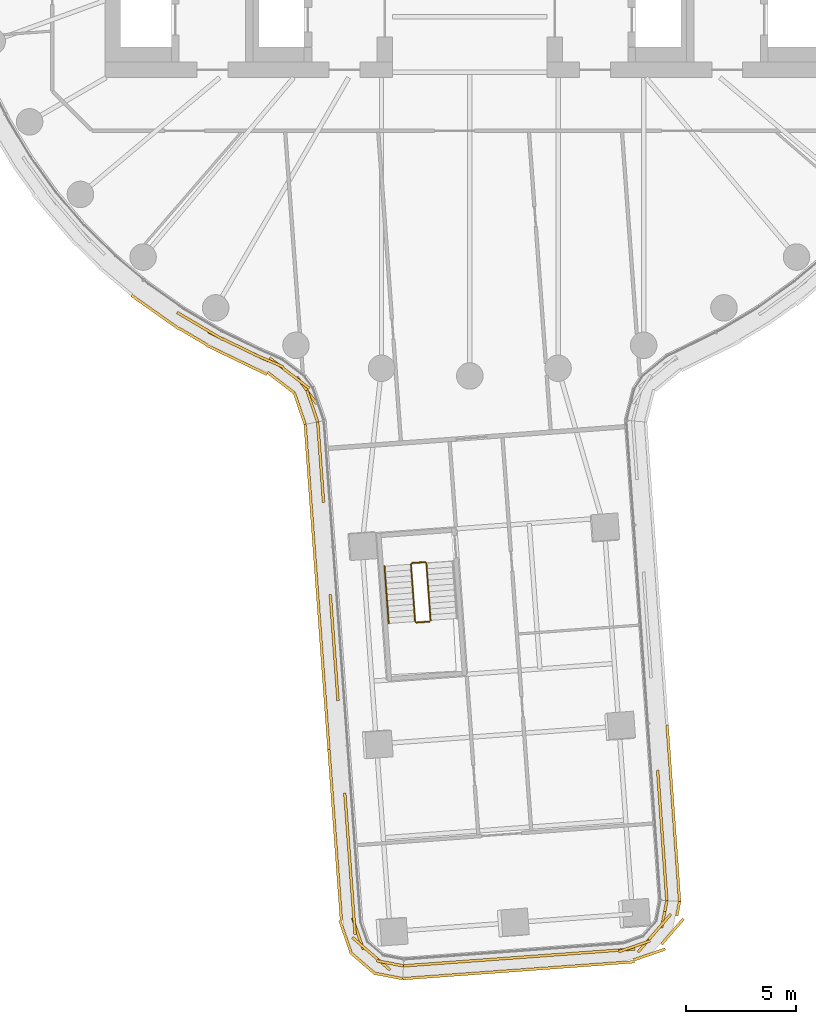
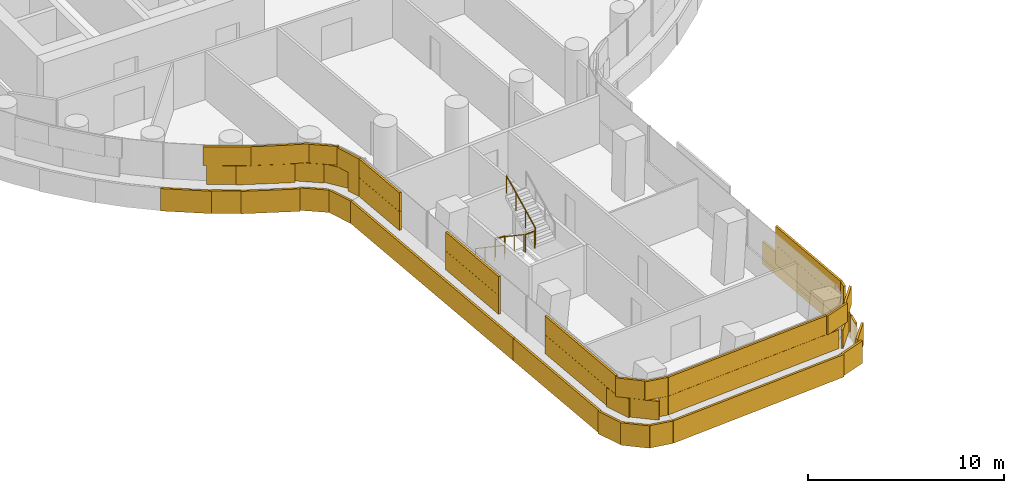
# One storey, part 25 of 31: 5 coverings, 5 railings.
"""IFC4 building model written with IfcOpenShell, lengths in metres."""

from ifc_helpers import new_model, si_unit, direction, frame, origin, origin_2d, place, context, subcontext, project, spatial, rectangle, circle, extrude, material, layer, layer_set, type_object, element, save


model = new_model("IFC4")

# Units and contexts
model_context = context("Model", 3, precision=1e-05, world=origin(), true_north=direction((0.0, 1.0)))
body_context = subcontext(model_context, "Body", "Model", "MODEL_VIEW")
ifc_project = project(units=[si_unit("LENGTHUNIT", "METRE"), si_unit("AREAUNIT", "SQUARE_METRE"), si_unit("VOLUMEUNIT", "CUBIC_METRE"), si_unit("PLANEANGLEUNIT", "RADIAN"), si_unit("MASSUNIT", "GRAM", prefix="KILO")], contexts=[model_context])

# Site, building, storey
site_placement = place(None, origin())
site = spatial("IfcSite", under=ifc_project, at=site_placement, CompositionType="ELEMENT")
building_placement = place(site_placement, origin())
building = spatial("IfcBuilding", under=site, at=building_placement, Name="Tamarind Cross Interchange Tower", CompositionType="ELEMENT")
storey_placement = place(building_placement, frame((0.0, 0.0, 49.0)))
storey = spatial("IfcBuildingStorey", under=building, at=storey_placement, Name="L10", CompositionType="ELEMENT", Elevation=49.0)

# Railings
ifc_material_1 = material(Name="Stair guard")
railing_type_1 = type_object("IfcRailingType", Name="Stair guard", PredefinedType="GUARDRAIL", material=ifc_material_1)
railing_1_placement = place(storey_placement, frame((-2.663330078125, -31.519287109375, 0.17041015625)))
element("IfcRailing", 1, at=railing_1_placement, inside=storey, type_object=railing_type_1, Name="L10 ST6 stair guard 1", PredefinedType="GUARDRAIL", context=body_context, shape_type="SweptSolid", body=[
    extrude(circle(Radius=0.02392578125, at=origin_2d()), frame((0.0, 0.0, 1.076171875), z_axis=(0.060934966384, -0.834086614599, 0.548257648572), x_axis=(0.997342050875, 0.072861742749, 0.0)), (0.0, 0.0, 1.0), 3.109130859375),
    extrude(circle(Radius=0.02099609375, at=origin_2d()), origin(), (0.0, 0.0, 1.0), 1.052001953125),
    extrude(circle(Radius=0.02099609375, at=origin_2d()), frame((0.063232421875, -0.864501953125, 0.568115234375)), (0.0, 0.0, 1.0), 1.052001953125),
    extrude(circle(Radius=0.02099609375, at=origin_2d()), frame((0.126220703125, -1.728759765625, 1.136474609375)), (0.0, 0.0, 1.0), 1.052001953125),
    extrude(circle(Radius=0.02099609375, at=origin_2d()), frame((0.189453125, -2.59326171875, 1.70458984375)), (0.0, 0.0, 1.0), 1.052001953125),
])
railing_2_placement = place(storey_placement, frame((-2.42041015625, -34.15869140625, 1.875)))
element("IfcRailing", 2, at=railing_2_placement, inside=storey, type_object=railing_type_1, Name="L10 ST6 stair guard 2", PredefinedType="GUARDRAIL", context=body_context, shape_type="SweptSolid", body=[
    extrude(circle(Radius=0.02392578125, at=origin_2d()), frame((0.0, 0.0, 1.076171875), z_axis=(0.997343826647, 0.072837431648, 0.0), x_axis=(-0.072837431648, 0.997343826647, 0.0)), (0.0, 0.0, 1.0), 0.60009765625),
    extrude(circle(Radius=0.02099609375, at=origin_2d()), origin(), (0.0, 0.0, 1.0), 1.052001953125),
    extrude(circle(Radius=0.02099609375, at=origin_2d()), frame((0.598388671875, 0.043701171875, 0.0)), (0.0, 0.0, 1.0), 1.052001953125),
])
railing_3_placement = place(storey_placement, frame((-1.775634765625, -34.0615234375, 2.04541015625)))
element("IfcRailing", 3, at=railing_3_placement, inside=storey, type_object=railing_type_1, Name="L10 ST6 stair guard 3", PredefinedType="GUARDRAIL", context=body_context, shape_type="SweptSolid", body=[
    extrude(circle(Radius=0.02392578125, at=origin_2d()), frame((0.0, 0.0, 1.076171875), z_axis=(-0.060938957596, 0.834062717302, 0.548293559194), x_axis=(-0.997341552337, -0.072868566483, 0.0)), (0.0, 0.0, 1.0), 3.10888671875),
    extrude(circle(Radius=0.02099609375, at=origin_2d()), origin(), (0.0, 0.0, 1.0), 1.052001953125),
    extrude(circle(Radius=0.02099609375, at=origin_2d()), frame((-0.063232421875, 0.8642578125, 0.568115234375)), (0.0, 0.0, 1.0), 1.052001953125),
    extrude(circle(Radius=0.02099609375, at=origin_2d()), frame((-0.126220703125, 1.728759765625, 1.136474609375)), (0.0, 0.0, 1.0), 1.052001953125),
    extrude(circle(Radius=0.02099609375, at=origin_2d()), frame((-0.189453125, 2.593017578125, 1.70458984375)), (0.0, 0.0, 1.0), 1.052001953125),
])
railing_4_placement = place(storey_placement, frame((-2.6171875, -31.4658203125, 0.0)))
element("IfcRailing", 4, at=railing_4_placement, inside=storey, type_object=railing_type_1, Name="L10 ST6 stair guard 4", PredefinedType="GUARDRAIL", context=body_context, shape_type="SweptSolid", body=[
    extrude(circle(Radius=0.02392578125, at=origin_2d()), frame((0.0, 0.0, 1.076171875), z_axis=(0.997343826647, 0.072837431648, 0.0), x_axis=(-0.072837431648, 0.997343826647, 0.0)), (0.0, 0.0, 1.0), 0.60009765625),
    extrude(circle(Radius=0.02099609375, at=origin_2d()), origin(), (0.0, 0.0, 1.0), 1.052001953125),
    extrude(circle(Radius=0.02099609375, at=origin_2d()), frame((0.598388671875, 0.043701171875, 0.0)), (0.0, 0.0, 1.0), 1.052001953125),
])
ifc_material_2 = material(Name="Stair handrail")
railing_type_2 = type_object("IfcRailingType", Name="Stair handrail", PredefinedType="HANDRAIL", material=ifc_material_2)
railing_5_placement = place(storey_placement, frame((-3.860107421875, -31.60693359375, 0.17041015625)))
element("IfcRailing", 5, at=railing_5_placement, inside=storey, type_object=railing_type_2, Name="L10 ST6 stair handrail 1", PredefinedType="HANDRAIL", context=body_context, shape_type="SweptSolid", body=[
    extrude(circle(Radius=0.02392578125, at=origin_2d()), frame((0.0, 0.0, 0.8759765625), z_axis=(0.060938957596, -0.834062717302, 0.548293559194), x_axis=(0.997341552337, 0.072868566483, 0.0)), (0.0, 0.0, 1.0), 3.10888671875),
    extrude(circle(Radius=0.02099609375, at=origin_2d()), origin(), (0.0, 0.0, 1.0), 0.851806640625),
    extrude(circle(Radius=0.02099609375, at=origin_2d()), frame((0.063232421875, -0.8642578125, 0.568115234375)), (0.0, 0.0, 1.0), 0.851806640625),
    extrude(circle(Radius=0.02099609375, at=origin_2d()), frame((0.126220703125, -1.728759765625, 1.136474609375)), (0.0, 0.0, 1.0), 0.851806640625),
    extrude(circle(Radius=0.02099609375, at=origin_2d()), frame((0.189453125, -2.593017578125, 1.70458984375)), (0.0, 0.0, 1.0), 0.851806640625),
])

# Coverings
ifc_material_3 = material(Name="Terracotta", Category="masonry")
ifc_layer = layer(ifc_material_3, 0.1201171875)
ifc_layer_set = layer_set([ifc_layer], Name="Terracotta")
covering_type = type_object("IfcCoveringType", Name="Terracotta baguette screen unit", PredefinedType="MOLDING", material=ifc_layer_set)
covering_1_placement = place(storey_placement, origin())
element("IfcCovering", 6, at=covering_1_placement, inside=storey, type_object=covering_type, Name="SCR-L10-06-01", PredefinedType="MOLDING", context=body_context, shape_type="SweptSolid", body=[
    extrude(rectangle(XDim=1.52001953125, YDim=0.1201171875, at=origin_2d()), frame((-12.45751953125, -20.592041015625, 1.404052734375), z_axis=(0.0, 0.0, 1.0), x_axis=(0.861248933065, -0.508183308752, 0.0)), (0.0, 0.0, 1.0), 1.1669921875),
    extrude(rectangle(XDim=1.52001953125, YDim=0.1201171875, at=origin_2d()), frame((-11.15625, -21.336669921875, 1.404052734375), z_axis=(0.0, 0.0, 1.0), x_axis=(0.900272776334, -0.435326231914, 0.0)), (0.0, 0.0, 1.0), 1.1669921875),
    extrude(rectangle(XDim=1.52001953125, YDim=0.1201171875, at=origin_2d()), frame((-9.8056640625, -21.98974609375, 1.404052734375), z_axis=(0.0, 0.0, 1.0), x_axis=(0.900272776334, -0.435326231914, 0.0)), (0.0, 0.0, 1.0), 1.1669921875),
    extrude(rectangle(XDim=1.52001953125, YDim=0.1201171875, at=origin_2d()), frame((-8.4619140625, -22.643798828125, 1.404052734375), z_axis=(0.0, 0.0, 1.0), x_axis=(0.793968730623, -0.607958596282, 0.0)), (0.0, 0.0, 1.0), 1.1669921875),
    extrude(rectangle(XDim=1.52001953125, YDim=0.1201171875, at=origin_2d()), frame((-7.37255859375, -23.655517578125, 1.404052734375), z_axis=(0.0, 0.0, 1.0), x_axis=(0.593864192747, -0.804565299135, 0.0)), (0.0, 0.0, 1.0), 1.1669921875),
    extrude(rectangle(XDim=0.764404296875, YDim=0.1201171875, at=origin_2d()), frame((-7.005859375, -24.720703125, 1.404052734375), z_axis=(0.0, 0.0, 1.0), x_axis=(0.322738085139, -0.946488313927, 0.0)), (0.0, 0.0, 1.0), 1.1669921875),
    extrude(rectangle(XDim=0.924072265625, YDim=0.1201171875, at=origin_2d()), frame((-12.85107421875, -20.359619140625, 2.5791015625), z_axis=(0.0, 0.0, 1.0), x_axis=(0.861248933065, -0.508183308752, 0.0)), (0.0, 0.0, 1.0), 1.1669921875),
    extrude(rectangle(XDim=1.52001953125, YDim=0.1201171875, at=origin_2d()), frame((-11.8115234375, -20.97314453125, 2.5791015625), z_axis=(0.0, 0.0, 1.0), x_axis=(0.861248933065, -0.508183308752, 0.0)), (0.0, 0.0, 1.0), 1.1669921875),
    extrude(rectangle(XDim=1.52001953125, YDim=0.1201171875, at=origin_2d()), frame((-10.48095703125, -21.663330078125, 2.5791015625), z_axis=(0.0, 0.0, 1.0), x_axis=(0.900272776334, -0.435326231914, 0.0)), (0.0, 0.0, 1.0), 1.1669921875),
    extrude(rectangle(XDim=1.52001953125, YDim=0.1201171875, at=origin_2d()), frame((-9.1220703125, -22.2978515625, 2.5791015625), z_axis=(0.0, 0.0, 1.0), x_axis=(0.917176213406, -0.39848186102, 0.0)), (0.0, 0.0, 1.0), 1.1669921875),
    extrude(rectangle(XDim=1.52001953125, YDim=0.1201171875, at=origin_2d()), frame((-7.866455078125, -23.099853515625, 2.5791015625), z_axis=(0.0, 0.0, 1.0), x_axis=(0.793968730623, -0.607958596282, 0.0)), (0.0, 0.0, 1.0), 1.1669921875),
    extrude(rectangle(XDim=1.52001953125, YDim=0.1201171875, at=origin_2d()), frame((-7.12744140625, -24.36376953125, 2.5791015625), z_axis=(0.0, 0.0, 1.0), x_axis=(0.322738085139, -0.946488313927, 0.0)), (0.0, 0.0, 1.0), 1.1669921875),
    extrude(rectangle(XDim=1.11279296875, YDim=0.1201171875, at=origin_2d()), frame((-14.853271484375, -19.674072265625, 0.00390625), z_axis=(0.0, 0.0, 1.0), x_axis=(0.816341886298, -0.577568978284, 0.0)), (0.0, 0.0, 1.0), 1.39208984375),
    extrude(rectangle(XDim=1.52001953125, YDim=0.1201171875, at=origin_2d()), frame((-13.794921875, -20.422607421875, 0.00390625), z_axis=(0.0, 0.0, 1.0), x_axis=(0.816341886298, -0.577568978284, 0.0)), (0.0, 0.0, 1.0), 1.39208984375),
    extrude(rectangle(XDim=1.52001953125, YDim=0.1201171875, at=origin_2d()), frame((-12.52490234375, -21.218505859375, 0.00390625), z_axis=(0.0, 0.0, 1.0), x_axis=(0.861248933065, -0.508183308752, 0.0)), (0.0, 0.0, 1.0), 1.39208984375),
    extrude(rectangle(XDim=1.52001953125, YDim=0.1201171875, at=origin_2d()), frame((-11.21435546875, -21.946044921875, 0.00390625), z_axis=(0.0, 0.0, 1.0), x_axis=(0.900272776334, -0.435326231914, 0.0)), (0.0, 0.0, 1.0), 1.39208984375),
    extrude(rectangle(XDim=1.52001953125, YDim=0.1201171875, at=origin_2d()), frame((-9.864013671875, -22.59912109375, 0.00390625), z_axis=(0.0, 0.0, 1.0), x_axis=(0.900272776334, -0.435326231914, 0.0)), (0.0, 0.0, 1.0), 1.39208984375),
    extrude(rectangle(XDim=1.52001953125, YDim=0.1201171875, at=origin_2d()), frame((-8.548828125, -23.30029296875, 0.00390625), z_axis=(0.0, 0.0, 1.0), x_axis=(0.793968730623, -0.607958596282, 0.0)), (0.0, 0.0, 1.0), 1.39208984375),
    extrude(rectangle(XDim=1.52001953125, YDim=0.1201171875, at=origin_2d()), frame((-7.696533203125, -24.473876953125, 0.00390625), z_axis=(0.0, 0.0, 1.0), x_axis=(0.322738085139, -0.946488313927, 0.0)), (0.0, 0.0, 1.0), 1.39208984375),
])
covering_2_placement = place(storey_placement, origin())
element("IfcCovering", 7, at=covering_2_placement, inside=storey, type_object=covering_type, Name="SCR-L10-07-00", PredefinedType="MOLDING", context=body_context, shape_type="SweptSolid", body=[
    extrude(rectangle(XDim=1.510009765625, YDim=0.1201171875, at=origin_2d()), frame((-6.829345703125, -25.82568359375, 1.404052734375), z_axis=(0.0, 0.0, 1.0), x_axis=(0.072876138746, -0.997340999058, 0.0)), (0.0, 0.0, 1.0), 1.1669921875),
    extrude(rectangle(XDim=1.52001953125, YDim=0.1201171875, at=origin_2d()), frame((-6.719970703125, -27.32177734375, 1.404052734375), z_axis=(0.0, 0.0, 1.0), x_axis=(0.072876138746, -0.997340999058, 0.0)), (0.0, 0.0, 1.0), 1.1669921875),
    extrude(rectangle(XDim=0.65380859375, YDim=0.1201171875, at=origin_2d()), frame((-6.641845703125, -28.390869140625, 1.404052734375), z_axis=(0.0, 0.0, 1.0), x_axis=(0.072876138746, -0.997340999058, 0.0)), (0.0, 0.0, 1.0), 1.1669921875),
    extrude(rectangle(XDim=1.166259765625, YDim=0.1201171875, at=origin_2d()), frame((-6.270263671875, -33.477294921875, 1.404052734375), z_axis=(0.0, 0.0, 1.0), x_axis=(0.072876138746, -0.997340999058, 0.0)), (0.0, 0.0, 1.0), 1.1669921875),
    extrude(rectangle(XDim=1.52001953125, YDim=0.1201171875, at=origin_2d()), frame((-6.173583984375, -34.8017578125, 1.404052734375), z_axis=(0.0, 0.0, 1.0), x_axis=(0.072876138746, -0.997340999058, 0.0)), (0.0, 0.0, 1.0), 1.1669921875),
    extrude(rectangle(XDim=1.52001953125, YDim=0.1201171875, at=origin_2d()), frame((-6.064208984375, -36.2978515625, 1.404052734375), z_axis=(0.0, 0.0, 1.0), x_axis=(0.072876138746, -0.997340999058, 0.0)), (0.0, 0.0, 1.0), 1.1669921875),
    extrude(rectangle(XDim=0.65380859375, YDim=0.1201171875, at=origin_2d()), frame((-5.986083984375, -37.366943359375, 1.404052734375), z_axis=(0.0, 0.0, 1.0), x_axis=(0.072876138746, -0.997340999058, 0.0)), (0.0, 0.0, 1.0), 1.1669921875),
    extrude(rectangle(XDim=0.760009765625, YDim=0.1201171875, at=origin_2d()), frame((-6.856689453125, -25.45166015625, 2.5791015625), z_axis=(0.0, 0.0, 1.0), x_axis=(0.072876138746, -0.997340999058, 0.0)), (0.0, 0.0, 1.0), 1.1669921875),
    extrude(rectangle(XDim=1.52001953125, YDim=0.1201171875, at=origin_2d()), frame((-6.774658203125, -26.57373046875, 2.5791015625), z_axis=(0.0, 0.0, 1.0), x_axis=(0.072876138746, -0.997340999058, 0.0)), (0.0, 0.0, 1.0), 1.1669921875),
    extrude(rectangle(XDim=1.40380859375, YDim=0.1201171875, at=origin_2d()), frame((-6.669189453125, -28.016845703125, 2.5791015625), z_axis=(0.0, 0.0, 1.0), x_axis=(0.072876138746, -0.997340999058, 0.0)), (0.0, 0.0, 1.0), 1.1669921875),
    extrude(rectangle(XDim=0.416259765625, YDim=0.1201171875, at=origin_2d()), frame((-6.297607421875, -33.103271484375, 2.5791015625), z_axis=(0.0, 0.0, 1.0), x_axis=(0.072876138746, -0.997340999058, 0.0)), (0.0, 0.0, 1.0), 1.1669921875),
    extrude(rectangle(XDim=1.52001953125, YDim=0.1201171875, at=origin_2d()), frame((-6.22802734375, -34.053955078125, 2.5791015625), z_axis=(0.0, 0.0, 1.0), x_axis=(0.072876138746, -0.997340999058, 0.0)), (0.0, 0.0, 1.0), 1.1669921875),
    extrude(rectangle(XDim=1.52001953125, YDim=0.1201171875, at=origin_2d()), frame((-6.118896484375, -35.5498046875, 2.5791015625), z_axis=(0.0, 0.0, 1.0), x_axis=(0.072876138746, -0.997340999058, 0.0)), (0.0, 0.0, 1.0), 1.1669921875),
    extrude(rectangle(XDim=1.40380859375, YDim=0.1201171875, at=origin_2d()), frame((-6.013427734375, -36.992919921875, 2.5791015625), z_axis=(0.0, 0.0, 1.0), x_axis=(0.072876138746, -0.997340999058, 0.0)), (0.0, 0.0, 1.0), 1.1669921875),
    extrude(rectangle(XDim=1.510009765625, YDim=0.1201171875, at=origin_2d()), frame((-7.39599609375, -25.9462890625, 0.00390625), z_axis=(0.0, 0.0, 1.0), x_axis=(0.072876138746, -0.997340999058, 0.0)), (0.0, 0.0, 1.0), 1.39208984375),
    extrude(rectangle(XDim=1.52001953125, YDim=0.1201171875, at=origin_2d()), frame((-7.287109375, -27.437255859375, 0.00390625), z_axis=(0.0, 0.0, 1.0), x_axis=(0.072876138746, -0.997340999058, 0.0)), (0.0, 0.0, 1.0), 1.39208984375),
    extrude(rectangle(XDim=1.52001953125, YDim=0.1201171875, at=origin_2d()), frame((-7.177734375, -28.93310546875, 0.00390625), z_axis=(0.0, 0.0, 1.0), x_axis=(0.072876138746, -0.997340999058, 0.0)), (0.0, 0.0, 1.0), 1.39208984375),
    extrude(rectangle(XDim=1.52001953125, YDim=0.1201171875, at=origin_2d()), frame((-7.068603515625, -30.42919921875, 0.00390625), z_axis=(0.0, 0.0, 1.0), x_axis=(0.072876138746, -0.997340999058, 0.0)), (0.0, 0.0, 1.0), 1.39208984375),
    extrude(rectangle(XDim=1.52001953125, YDim=0.1201171875, at=origin_2d()), frame((-6.959228515625, -31.92529296875, 0.00390625), z_axis=(0.0, 0.0, 1.0), x_axis=(0.072876138746, -0.997340999058, 0.0)), (0.0, 0.0, 1.0), 1.39208984375),
    extrude(rectangle(XDim=1.52001953125, YDim=0.1201171875, at=origin_2d()), frame((-6.849853515625, -33.421142578125, 0.00390625), z_axis=(0.0, 0.0, 1.0), x_axis=(0.072876138746, -0.997340999058, 0.0)), (0.0, 0.0, 1.0), 1.39208984375),
    extrude(rectangle(XDim=1.52001953125, YDim=0.1201171875, at=origin_2d()), frame((-6.740478515625, -34.917236328125, 0.00390625), z_axis=(0.0, 0.0, 1.0), x_axis=(0.072876138746, -0.997340999058, 0.0)), (0.0, 0.0, 1.0), 1.39208984375),
    extrude(rectangle(XDim=1.52001953125, YDim=0.1201171875, at=origin_2d()), frame((-6.63134765625, -36.413330078125, 0.00390625), z_axis=(0.0, 0.0, 1.0), x_axis=(0.072876138746, -0.997340999058, 0.0)), (0.0, 0.0, 1.0), 1.39208984375),
    extrude(rectangle(XDim=1.52001953125, YDim=0.1201171875, at=origin_2d()), frame((-6.52197265625, -37.9091796875, 0.00390625), z_axis=(0.0, 0.0, 1.0), x_axis=(0.072876138746, -0.997340999058, 0.0)), (0.0, 0.0, 1.0), 1.39208984375),
    extrude(rectangle(XDim=1.2548828125, YDim=0.1201171875, at=origin_2d()), frame((-6.42236328125, -39.273193359375, 0.00390625), z_axis=(0.0, 0.0, 1.0), x_axis=(0.072876138746, -0.997340999058, 0.0)), (0.0, 0.0, 1.0), 1.39208984375),
])
covering_3_placement = place(storey_placement, origin())
element("IfcCovering", 8, at=covering_3_placement, inside=storey, type_object=covering_type, Name="SCR-L10-07-01", PredefinedType="MOLDING", context=body_context, shape_type="SweptSolid", body=[
    extrude(rectangle(XDim=1.166259765625, YDim=0.1201171875, at=origin_2d()), frame((-5.6142578125, -42.453369140625, 1.404052734375), z_axis=(0.0, 0.0, 1.0), x_axis=(0.072876138746, -0.997340999058, 0.0)), (0.0, 0.0, 1.0), 1.1669921875),
    extrude(rectangle(XDim=1.52001953125, YDim=0.1201171875, at=origin_2d()), frame((-5.517578125, -43.77783203125, 1.404052734375), z_axis=(0.0, 0.0, 1.0), x_axis=(0.072876138746, -0.997340999058, 0.0)), (0.0, 0.0, 1.0), 1.1669921875),
    extrude(rectangle(XDim=1.52001953125, YDim=0.1201171875, at=origin_2d()), frame((-5.408203125, -45.27392578125, 1.404052734375), z_axis=(0.0, 0.0, 1.0), x_axis=(0.072876138746, -0.997340999058, 0.0)), (0.0, 0.0, 1.0), 1.1669921875),
    extrude(rectangle(XDim=1.52001953125, YDim=0.1201171875, at=origin_2d()), frame((-5.299072265625, -46.77001953125, 1.404052734375), z_axis=(0.0, 0.0, 1.0), x_axis=(0.072876138746, -0.997340999058, 0.0)), (0.0, 0.0, 1.0), 1.1669921875),
    extrude(rectangle(XDim=1.52001953125, YDim=0.1201171875, at=origin_2d()), frame((-5.0634765625, -48.239990234375, 1.404052734375), z_axis=(0.0, 0.0, 1.0), x_axis=(0.328523789553, -0.944495695966, 0.0)), (0.0, 0.0, 1.0), 1.1669921875),
    extrude(rectangle(XDim=1.52001953125, YDim=0.1201171875, at=origin_2d()), frame((-4.17578125, -49.388427734375, 1.404052734375), z_axis=(0.0, 0.0, 1.0), x_axis=(0.756757795483, -0.653695371695, 0.0)), (0.0, 0.0, 1.0), 1.1669921875),
    extrude(rectangle(XDim=0.49267578125, YDim=0.1201171875, at=origin_2d()), frame((-3.238525390625, -49.64990234375, 1.404052734375), z_axis=(0.0, 0.0, 1.0), x_axis=(0.982219161248, -0.187737900482, 0.0)), (0.0, 0.0, 1.0), 1.1669921875),
    extrude(rectangle(XDim=0.416259765625, YDim=0.1201171875, at=origin_2d()), frame((-5.6416015625, -42.079345703125, 2.5791015625), z_axis=(0.0, 0.0, 1.0), x_axis=(0.072876138746, -0.997340999058, 0.0)), (0.0, 0.0, 1.0), 1.1669921875),
    extrude(rectangle(XDim=1.52001953125, YDim=0.1201171875, at=origin_2d()), frame((-5.572265625, -43.02978515625, 2.5791015625), z_axis=(0.0, 0.0, 1.0), x_axis=(0.072876138746, -0.997340999058, 0.0)), (0.0, 0.0, 1.0), 1.1669921875),
    extrude(rectangle(XDim=1.52001953125, YDim=0.1201171875, at=origin_2d()), frame((-5.462890625, -44.52587890625, 2.5791015625), z_axis=(0.0, 0.0, 1.0), x_axis=(0.072876138746, -0.997340999058, 0.0)), (0.0, 0.0, 1.0), 1.1669921875),
    extrude(rectangle(XDim=1.52001953125, YDim=0.1201171875, at=origin_2d()), frame((-5.353515625, -46.02197265625, 2.5791015625), z_axis=(0.0, 0.0, 1.0), x_axis=(0.072876138746, -0.997340999058, 0.0)), (0.0, 0.0, 1.0), 1.1669921875),
    extrude(rectangle(XDim=1.52001953125, YDim=0.1201171875, at=origin_2d()), frame((-5.244384765625, -47.517822265625, 2.5791015625), z_axis=(0.0, 0.0, 1.0), x_axis=(0.072876138746, -0.997340999058, 0.0)), (0.0, 0.0, 1.0), 1.1669921875),
    extrude(rectangle(XDim=1.52001953125, YDim=0.1201171875, at=origin_2d()), frame((-4.743408203125, -48.898193359375, 2.5791015625), z_axis=(0.0, 0.0, 1.0), x_axis=(0.756757795483, -0.653695371695, 0.0)), (0.0, 0.0, 1.0), 1.1669921875),
    extrude(rectangle(XDim=1.24267578125, YDim=0.1201171875, at=origin_2d()), frame((-3.60693359375, -49.579345703125, 2.5791015625), z_axis=(0.0, 0.0, 1.0), x_axis=(0.982219161248, -0.187737900482, 0.0)), (0.0, 0.0, 1.0), 1.1669921875),
    extrude(rectangle(XDim=0.26513671875, YDim=0.1201171875, at=origin_2d()), frame((-6.366943359375, -40.031005859375, 0.00390625), z_axis=(0.0, 0.0, 1.0), x_axis=(0.072876138746, -0.997340999058, 0.0)), (0.0, 0.0, 1.0), 1.39208984375),
    extrude(rectangle(XDim=1.52001953125, YDim=0.1201171875, at=origin_2d()), frame((-6.30322265625, -40.9013671875, 0.00390625), z_axis=(0.0, 0.0, 1.0), x_axis=(0.072876138746, -0.997340999058, 0.0)), (0.0, 0.0, 1.0), 1.39208984375),
    extrude(rectangle(XDim=1.52001953125, YDim=0.1201171875, at=origin_2d()), frame((-6.194091796875, -42.397216796875, 0.00390625), z_axis=(0.0, 0.0, 1.0), x_axis=(0.072876138746, -0.997340999058, 0.0)), (0.0, 0.0, 1.0), 1.39208984375),
    extrude(rectangle(XDim=1.52001953125, YDim=0.1201171875, at=origin_2d()), frame((-6.084716796875, -43.893310546875, 0.00390625), z_axis=(0.0, 0.0, 1.0), x_axis=(0.072876138746, -0.997340999058, 0.0)), (0.0, 0.0, 1.0), 1.39208984375),
    extrude(rectangle(XDim=1.52001953125, YDim=0.1201171875, at=origin_2d()), frame((-5.975341796875, -45.389404296875, 0.00390625), z_axis=(0.0, 0.0, 1.0), x_axis=(0.072876138746, -0.997340999058, 0.0)), (0.0, 0.0, 1.0), 1.39208984375),
    extrude(rectangle(XDim=1.52001953125, YDim=0.1201171875, at=origin_2d()), frame((-5.865966796875, -46.88525390625, 0.00390625), z_axis=(0.0, 0.0, 1.0), x_axis=(0.072876138746, -0.997340999058, 0.0)), (0.0, 0.0, 1.0), 1.39208984375),
    extrude(rectangle(XDim=1.52001953125, YDim=0.1201171875, at=origin_2d()), frame((-5.631103515625, -48.35546875, 0.00390625), z_axis=(0.0, 0.0, 1.0), x_axis=(0.328523789553, -0.944495695966, 0.0)), (0.0, 0.0, 1.0), 1.39208984375),
    extrude(rectangle(XDim=1.52001953125, YDim=0.1201171875, at=origin_2d()), frame((-4.842529296875, -49.5712890625, 0.00390625), z_axis=(0.0, 0.0, 1.0), x_axis=(0.756757795483, -0.653695371695, 0.0)), (0.0, 0.0, 1.0), 1.39208984375),
    extrude(rectangle(XDim=1.2607421875, YDim=0.1201171875, at=origin_2d()), frame((-3.654296875, -50.15478515625, 0.00390625), z_axis=(0.0, 0.0, 1.0), x_axis=(0.982219161248, -0.187737900482, 0.0)), (0.0, 0.0, 1.0), 1.39208984375),
])
covering_4_placement = place(storey_placement, origin())
element("IfcCovering", 9, at=covering_4_placement, inside=storey, type_object=covering_type, Name="SCR-L10-08-00", PredefinedType="MOLDING", context=body_context, shape_type="SweptSolid", body=[
    extrude(rectangle(XDim=1.510009765625, YDim=0.1201171875, at=origin_2d()), frame((-2.25341796875, -49.640380859375, 1.404052734375), z_axis=(0.0, 0.0, 1.0), x_axis=(0.997340999058, 0.072876138746, 0.0)), (0.0, 0.0, 1.0), 1.1669921875),
    extrude(rectangle(XDim=1.52001953125, YDim=0.1201171875, at=origin_2d()), frame((-0.757568359375, -49.53125, 1.404052734375), z_axis=(0.0, 0.0, 1.0), x_axis=(0.997340999058, 0.072876138746, 0.0)), (0.0, 0.0, 1.0), 1.1669921875),
    extrude(rectangle(XDim=1.52001953125, YDim=0.1201171875, at=origin_2d()), frame((0.738525390625, -49.421875, 1.404052734375), z_axis=(0.0, 0.0, 1.0), x_axis=(0.997340999058, 0.072876138746, 0.0)), (0.0, 0.0, 1.0), 1.1669921875),
    extrude(rectangle(XDim=1.52001953125, YDim=0.1201171875, at=origin_2d()), frame((2.234619140625, -49.3125, 1.404052734375), z_axis=(0.0, 0.0, 1.0), x_axis=(0.997340999058, 0.072876138746, 0.0)), (0.0, 0.0, 1.0), 1.1669921875),
    extrude(rectangle(XDim=1.52001953125, YDim=0.1201171875, at=origin_2d()), frame((3.73046875, -49.203125, 1.404052734375), z_axis=(0.0, 0.0, 1.0), x_axis=(0.997340999058, 0.072876138746, 0.0)), (0.0, 0.0, 1.0), 1.1669921875),
    extrude(rectangle(XDim=1.52001953125, YDim=0.1201171875, at=origin_2d()), frame((5.2265625, -49.093994140625, 1.404052734375), z_axis=(0.0, 0.0, 1.0), x_axis=(0.997340999058, 0.072876138746, 0.0)), (0.0, 0.0, 1.0), 1.1669921875),
    extrude(rectangle(XDim=1.52001953125, YDim=0.1201171875, at=origin_2d()), frame((6.72265625, -48.984619140625, 1.404052734375), z_axis=(0.0, 0.0, 1.0), x_axis=(0.997340999058, 0.072876138746, 0.0)), (0.0, 0.0, 1.0), 1.1669921875),
    extrude(rectangle(XDim=1.52001953125, YDim=0.1201171875, at=origin_2d()), frame((8.108642578125, -48.495361328125, 1.404052734375), z_axis=(0.0, 0.0, 1.0), x_axis=(0.653695371695, 0.756757795483, 0.0)), (0.0, 0.0, 1.0), 1.1669921875),
    extrude(rectangle(XDim=1.259521484375, YDim=0.1201171875, at=origin_2d()), frame((8.79931640625, -47.3544921875, 1.404052734375), z_axis=(0.0, 0.0, 1.0), x_axis=(0.187737900482, 0.982219161248, 0.0)), (0.0, 0.0, 1.0), 1.1669921875),
    extrude(rectangle(XDim=0.760009765625, YDim=0.1201171875, at=origin_2d()), frame((-2.62744140625, -49.667724609375, 2.5791015625), z_axis=(0.0, 0.0, 1.0), x_axis=(0.997340999058, 0.072876138746, 0.0)), (0.0, 0.0, 1.0), 1.1669921875),
    extrude(rectangle(XDim=1.52001953125, YDim=0.1201171875, at=origin_2d()), frame((-1.505615234375, -49.5859375, 2.5791015625), z_axis=(0.0, 0.0, 1.0), x_axis=(0.997340999058, 0.072876138746, 0.0)), (0.0, 0.0, 1.0), 1.1669921875),
    extrude(rectangle(XDim=1.52001953125, YDim=0.1201171875, at=origin_2d()), frame((-0.009521484375, -49.4765625, 2.5791015625), z_axis=(0.0, 0.0, 1.0), x_axis=(0.997340999058, 0.072876138746, 0.0)), (0.0, 0.0, 1.0), 1.1669921875),
    extrude(rectangle(XDim=1.52001953125, YDim=0.1201171875, at=origin_2d()), frame((1.486572265625, -49.3671875, 2.5791015625), z_axis=(0.0, 0.0, 1.0), x_axis=(0.997340999058, 0.072876138746, 0.0)), (0.0, 0.0, 1.0), 1.1669921875),
    extrude(rectangle(XDim=1.52001953125, YDim=0.1201171875, at=origin_2d()), frame((2.982421875, -49.2578125, 2.5791015625), z_axis=(0.0, 0.0, 1.0), x_axis=(0.997340999058, 0.072876138746, 0.0)), (0.0, 0.0, 1.0), 1.1669921875),
    extrude(rectangle(XDim=1.52001953125, YDim=0.1201171875, at=origin_2d()), frame((4.478515625, -49.148681640625, 2.5791015625), z_axis=(0.0, 0.0, 1.0), x_axis=(0.997340999058, 0.072876138746, 0.0)), (0.0, 0.0, 1.0), 1.1669921875),
    extrude(rectangle(XDim=1.52001953125, YDim=0.1201171875, at=origin_2d()), frame((5.974609375, -49.039306640625, 2.5791015625), z_axis=(0.0, 0.0, 1.0), x_axis=(0.997340999058, 0.072876138746, 0.0)), (0.0, 0.0, 1.0), 1.1669921875),
    extrude(rectangle(XDim=1.52001953125, YDim=0.1201171875, at=origin_2d()), frame((7.4453125, -48.80810546875, 2.5791015625), z_axis=(0.0, 0.0, 1.0), x_axis=(0.944495695966, 0.328523789553, 0.0)), (0.0, 0.0, 1.0), 1.1669921875),
    extrude(rectangle(XDim=1.52001953125, YDim=0.1201171875, at=origin_2d()), frame((8.598876953125, -47.927734375, 2.5791015625), z_axis=(0.0, 0.0, 1.0), x_axis=(0.653695371695, 0.756757795483, 0.0)), (0.0, 0.0, 1.0), 1.1669921875),
    extrude(rectangle(XDim=0.509521484375, YDim=0.1201171875, at=origin_2d()), frame((8.869873046875, -46.986083984375, 2.5791015625), z_axis=(0.0, 0.0, 1.0), x_axis=(0.187737900482, 0.982219161248, 0.0)), (0.0, 0.0, 1.0), 1.1669921875),
    extrude(rectangle(XDim=1.510009765625, YDim=0.1201171875, at=origin_2d()), frame((-2.281982421875, -50.218017578125, 0.00390625), z_axis=(0.0, 0.0, 1.0), x_axis=(0.997340999058, 0.072876138746, 0.0)), (0.0, 0.0, 1.0), 1.39208984375),
    extrude(rectangle(XDim=1.52001953125, YDim=0.1201171875, at=origin_2d()), frame((-0.791015625, -50.109130859375, 0.00390625), z_axis=(0.0, 0.0, 1.0), x_axis=(0.997340999058, 0.072876138746, 0.0)), (0.0, 0.0, 1.0), 1.39208984375),
    extrude(rectangle(XDim=1.52001953125, YDim=0.1201171875, at=origin_2d()), frame((0.705078125, -49.999755859375, 0.00390625), z_axis=(0.0, 0.0, 1.0), x_axis=(0.997340999058, 0.072876138746, 0.0)), (0.0, 0.0, 1.0), 1.39208984375),
    extrude(rectangle(XDim=1.52001953125, YDim=0.1201171875, at=origin_2d()), frame((2.200927734375, -49.890625, 0.00390625), z_axis=(0.0, 0.0, 1.0), x_axis=(0.997340999058, 0.072876138746, 0.0)), (0.0, 0.0, 1.0), 1.39208984375),
    extrude(rectangle(XDim=1.52001953125, YDim=0.1201171875, at=origin_2d()), frame((3.697021484375, -49.78125, 0.00390625), z_axis=(0.0, 0.0, 1.0), x_axis=(0.997340999058, 0.072876138746, 0.0)), (0.0, 0.0, 1.0), 1.39208984375),
    extrude(rectangle(XDim=1.52001953125, YDim=0.1201171875, at=origin_2d()), frame((5.193115234375, -49.671875, 0.00390625), z_axis=(0.0, 0.0, 1.0), x_axis=(0.997340999058, 0.072876138746, 0.0)), (0.0, 0.0, 1.0), 1.39208984375),
    extrude(rectangle(XDim=1.52001953125, YDim=0.1201171875, at=origin_2d()), frame((6.68896484375, -49.5625, 0.00390625), z_axis=(0.0, 0.0, 1.0), x_axis=(0.997340999058, 0.072876138746, 0.0)), (0.0, 0.0, 1.0), 1.39208984375),
    extrude(rectangle(XDim=1.52001953125, YDim=0.1201171875, at=origin_2d()), frame((8.128173828125, -49.178466796875, 0.00390625), z_axis=(0.0, 0.0, 1.0), x_axis=(0.944495695966, 0.328523789553, 0.0)), (0.0, 0.0, 1.0), 1.39208984375),
    extrude(rectangle(XDim=1.52001953125, YDim=0.1201171875, at=origin_2d()), frame((9.17431640625, -48.139892578125, 0.00390625), z_axis=(0.0, 0.0, 1.0), x_axis=(0.653695371695, 0.756757795483, 0.0)), (0.0, 0.0, 1.0), 1.39208984375),
    extrude(rectangle(XDim=0.676513671875, YDim=0.1201171875, at=origin_2d()), frame((9.43115234375, -47.107177734375, 0.00390625), z_axis=(0.0, 0.0, 1.0), x_axis=(0.187737900482, 0.982219161248, 0.0)), (0.0, 0.0, 1.0), 1.39208984375),
])
covering_5_placement = place(storey_placement, origin())
element("IfcCovering", 10, at=covering_5_placement, inside=storey, type_object=covering_type, Name="SCR-L10-09-00", PredefinedType="MOLDING", context=body_context, shape_type="SweptSolid", body=[
    extrude(rectangle(XDim=1.510009765625, YDim=0.1201171875, at=origin_2d()), frame((8.86376953125, -45.99267578125, 1.404052734375), z_axis=(0.0, 0.0, 1.0), x_axis=(-0.070593780008, 0.997505146966, 0.0)), (0.0, 0.0, 1.0), 1.1669921875),
    extrude(rectangle(XDim=1.52001953125, YDim=0.1201171875, at=origin_2d()), frame((8.7578125, -44.496337890625, 1.404052734375), z_axis=(0.0, 0.0, 1.0), x_axis=(-0.070593780008, 0.997505146966, 0.0)), (0.0, 0.0, 1.0), 1.1669921875),
    extrude(rectangle(XDim=1.52001953125, YDim=0.1201171875, at=origin_2d()), frame((8.65185546875, -43.0, 1.404052734375), z_axis=(0.0, 0.0, 1.0), x_axis=(-0.070593780008, 0.997505146966, 0.0)), (0.0, 0.0, 1.0), 1.1669921875),
    extrude(rectangle(XDim=1.421630859375, YDim=0.1201171875, at=origin_2d()), frame((8.549072265625, -41.5478515625, 1.404052734375), z_axis=(0.0, 0.0, 1.0), x_axis=(-0.070593780008, 0.997505146966, 0.0)), (0.0, 0.0, 1.0), 1.1669921875),
    extrude(rectangle(XDim=0.760009765625, YDim=0.1201171875, at=origin_2d()), frame((8.89013671875, -46.36669921875, 2.5791015625), z_axis=(0.0, 0.0, 1.0), x_axis=(-0.070593780008, 0.997505146966, 0.0)), (0.0, 0.0, 1.0), 1.1669921875),
    extrude(rectangle(XDim=1.52001953125, YDim=0.1201171875, at=origin_2d()), frame((8.810791015625, -45.244384765625, 2.5791015625), z_axis=(0.0, 0.0, 1.0), x_axis=(-0.070593780008, 0.997505146966, 0.0)), (0.0, 0.0, 1.0), 1.1669921875),
    extrude(rectangle(XDim=1.52001953125, YDim=0.1201171875, at=origin_2d()), frame((8.704833984375, -43.748291015625, 2.5791015625), z_axis=(0.0, 0.0, 1.0), x_axis=(-0.070593780008, 0.997505146966, 0.0)), (0.0, 0.0, 1.0), 1.1669921875),
    extrude(rectangle(XDim=1.52001953125, YDim=0.1201171875, at=origin_2d()), frame((8.59912109375, -42.251953125, 2.5791015625), z_axis=(0.0, 0.0, 1.0), x_axis=(-0.070593780008, 0.997505146966, 0.0)), (0.0, 0.0, 1.0), 1.1669921875),
    extrude(rectangle(XDim=0.671630859375, YDim=0.1201171875, at=origin_2d()), frame((8.522705078125, -41.173828125, 2.5791015625), z_axis=(0.0, 0.0, 1.0), x_axis=(-0.070593780008, 0.997505146966, 0.0)), (0.0, 0.0, 1.0), 1.1669921875),
    extrude(rectangle(XDim=1.510009765625, YDim=0.1201171875, at=origin_2d()), frame((9.441162109375, -46.021728515625, 0.00390625), z_axis=(0.0, 0.0, 1.0), x_axis=(-0.070593780008, 0.997505146966, 0.0)), (0.0, 0.0, 1.0), 1.39208984375),
    extrude(rectangle(XDim=1.52001953125, YDim=0.1201171875, at=origin_2d()), frame((9.335693359375, -44.530517578125, 0.00390625), z_axis=(0.0, 0.0, 1.0), x_axis=(-0.070593780008, 0.997505146966, 0.0)), (0.0, 0.0, 1.0), 1.39208984375),
    extrude(rectangle(XDim=1.52001953125, YDim=0.1201171875, at=origin_2d()), frame((9.229736328125, -43.0341796875, 0.00390625), z_axis=(0.0, 0.0, 1.0), x_axis=(-0.070593780008, 0.997505146966, 0.0)), (0.0, 0.0, 1.0), 1.39208984375),
    extrude(rectangle(XDim=1.52001953125, YDim=0.1201171875, at=origin_2d()), frame((9.1240234375, -41.5380859375, 0.00390625), z_axis=(0.0, 0.0, 1.0), x_axis=(-0.070593780008, 0.997505146966, 0.0)), (0.0, 0.0, 1.0), 1.39208984375),
    extrude(rectangle(XDim=1.52001953125, YDim=0.1201171875, at=origin_2d()), frame((9.01806640625, -40.041748046875, 0.00390625), z_axis=(0.0, 0.0, 1.0), x_axis=(-0.070593780008, 0.997505146966, 0.0)), (0.0, 0.0, 1.0), 1.39208984375),
    extrude(rectangle(XDim=0.515625, YDim=0.1201171875, at=origin_2d()), frame((8.947509765625, -39.04638671875, 0.00390625), z_axis=(0.0, 0.0, 1.0), x_axis=(-0.070593780008, 0.997505146966, 0.0)), (0.0, 0.0, 1.0), 1.39208984375),
])

save(model, "model.ifc")
